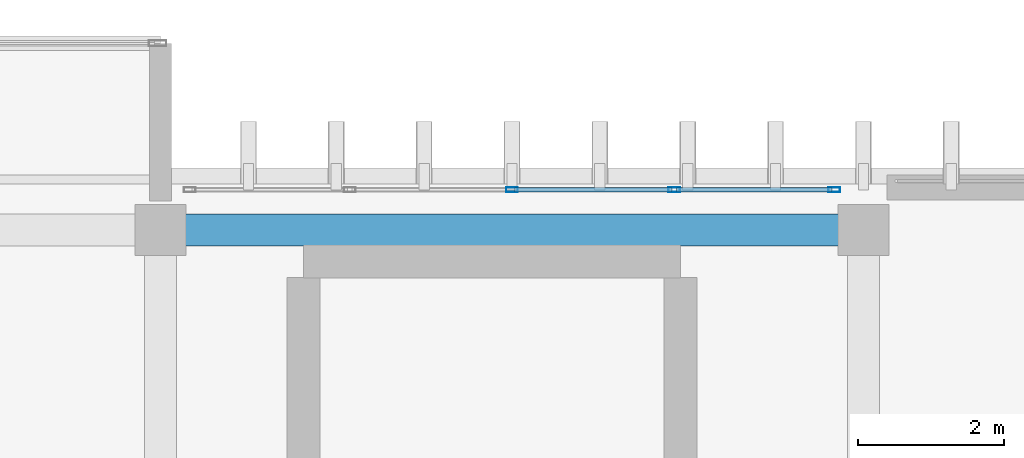
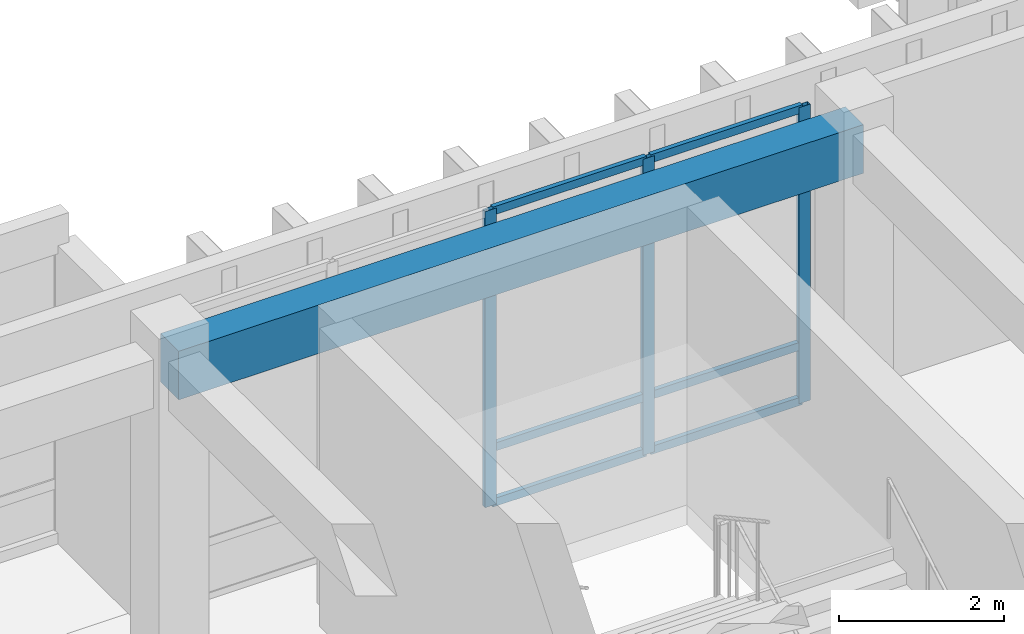
# One storey, part 74 of 133: 9 members, 1 beam, 1 element without a shape of its own.
"""IFC4 building model written with IfcOpenShell, lengths in metres."""

from ifc_helpers import new_model, si_unit, direction, frame, origin, origin_2d, place, context, subcontext, project, spatial, rectangle, hollow_rectangle, extrude, material, layer, layer_set, material_profile, profile_set, type_object, element, aggregate, save


model = new_model("IFC4")

# Units and contexts
model_context = context("Model", 3, precision=1e-05, world=origin(), true_north=direction((0.0, 1.0)))
body_context = subcontext(model_context, "Body", "Model", "MODEL_VIEW")
ifc_project = project(units=[si_unit("LENGTHUNIT", "METRE"), si_unit("AREAUNIT", "SQUARE_METRE"), si_unit("VOLUMEUNIT", "CUBIC_METRE"), si_unit("PLANEANGLEUNIT", "RADIAN"), si_unit("MASSUNIT", "GRAM", prefix="KILO")], contexts=[model_context])

# Site, building, storey
site_placement = place(None, origin())
site = spatial("IfcSite", under=ifc_project, at=site_placement, CompositionType="ELEMENT")
building_placement = place(site_placement, origin())
building = spatial("IfcBuilding", under=site, at=building_placement, Name="Nakhvara Creek Congress Hotel", CompositionType="ELEMENT")
storey_placement = place(building_placement, frame((0.0, 0.0, 11.39990234375)))
storey = spatial("IfcBuildingStorey", under=building, at=storey_placement, Name="L02", CompositionType="ELEMENT", Elevation=11.39990234375)

# Beam
ifc_material_1 = material(Name="Concrete C40/50", Category="concrete")
ifc_material_profile_1 = material_profile(ifc_material_1, rectangle(XDim=0.43994140625, YDim=0.719970703125, at=origin_2d()), Name="RC-BM 440x720", Category="LoadBearing")
ifc_profile_set_1 = profile_set([ifc_material_profile_1], Name="Concrete C40/50")
beam_type = type_object("IfcBeamType", Name="BM-RC-440X720", PredefinedType="BEAM", material=ifc_profile_set_1)
beam_placement = place(storey_placement, frame((134.39990234375, 95.25, 4.06005859375), z_axis=(1.0, 0.0, 0.0), x_axis=(0.0, 1.0, 0.0)))
element("IfcBeam", 1, at=beam_placement, inside=storey, type_object=beam_type, Name="Beam B12-L02-1555", PredefinedType="BEAM", context=body_context, shape_type="SweptSolid", body=[
    extrude(rectangle(XDim=0.43994140625, YDim=0.719970703125, at=origin_2d()), origin(), (0.0, 0.0, 1.0), 9.60009765625),
])

# Curtain wall, members
ifc_material_2 = material(Name="Bronze-anodised aluminium AW-6063-T6 and double-silver low-E glass", Category="aluminium")
ifc_layer = layer(ifc_material_2, 0.199951171875)
ifc_layer_set = layer_set([ifc_layer], Name="Bronze-anodised aluminium AW-6063-T6 and double-silver low-E glass")
curtain_wall_type = type_object("IfcCurtainWallType", Name="CW-POD-STICK", PredefinedType="NOTDEFINED", material=ifc_layer_set)
curtain_wall_placement = place(storey_placement, origin())
curtain_wall = element("IfcCurtainWall", 2, at=curtain_wall_placement, inside=storey, type_object=curtain_wall_type, Name="Curtain Wall CW088", PredefinedType="NOTDEFINED")
ifc_material_3 = material(Name="Bronze-anodised aluminium AW-6063-T6", Category="aluminium")
ifc_material_profile_2 = material_profile(ifc_material_3, hollow_rectangle(XDim=0.06494140625, YDim=0.159912109375, WallThickness=0.00390625, at=origin_2d()), Name="ALU-MULL 65x160x4", Category="LoadBearing")
ifc_profile_set_2 = profile_set([ifc_material_profile_2], Name="Bronze-anodised aluminium AW-6063-T6")
member_type_1 = type_object("IfcMemberType", Name="CW-MULL-160", PredefinedType="MULLION", material=ifc_profile_set_2)
member_1_placement = place(storey_placement, frame((139.199951171875, 95.800048828125, 0.0), z_axis=(0.0, 0.0, 1.0), x_axis=(0.0, 1.0, 0.0)))
member_1 = element("IfcMember", 3, at=member_1_placement, type_object=member_type_1, Name="CW088 mullion 3", PredefinedType="MULLION", context=body_context, shape_type="SweptSolid", body=[
    extrude(hollow_rectangle(XDim=0.06494140625, YDim=0.159912109375, WallThickness=0.00390625, at=origin_2d()), origin(), (0.0, 0.0, 1.0), 4.39013671875),
])
member_2_placement = place(storey_placement, frame((141.41748046875, 95.800048828125, 0.0), z_axis=(0.0, 0.0, 1.0), x_axis=(0.0, 1.0, 0.0)))
member_2 = element("IfcMember", 4, at=member_2_placement, type_object=member_type_1, Name="CW088 mullion 4", PredefinedType="MULLION", context=body_context, shape_type="SweptSolid", body=[
    extrude(hollow_rectangle(XDim=0.06494140625, YDim=0.159912109375, WallThickness=0.00390625, at=origin_2d()), origin(), (0.0, 0.0, 1.0), 4.39013671875),
])
member_3_placement = place(storey_placement, frame((143.6025390625, 95.800048828125, 0.0), z_axis=(0.0, 0.0, 1.0), x_axis=(0.0, 1.0, 0.0)))
member_3 = element("IfcMember", 5, at=member_3_placement, type_object=member_type_1, Name="CW088 mullion 5", PredefinedType="MULLION", context=body_context, shape_type="SweptSolid", body=[
    extrude(hollow_rectangle(XDim=0.06494140625, YDim=0.159912109375, WallThickness=0.00390625, at=origin_2d()), origin(), (0.0, 0.0, 1.0), 4.39013671875),
])
ifc_material_profile_3 = material_profile(ifc_material_3, hollow_rectangle(XDim=0.06494140625, YDim=0.1201171875, WallThickness=0.00390625, at=origin_2d()), Name="ALU-TRAN 65x120x4", Category="LoadBearing")
ifc_profile_set_3 = profile_set([ifc_material_profile_3], Name="Bronze-anodised aluminium AW-6063-T6")
member_type_2 = type_object("IfcMemberType", Name="CW-TRAN-120", PredefinedType="USERDEFINED", material=ifc_profile_set_3)
member_4_placement = place(storey_placement, frame((139.232421875, 95.800048828125, 0.03271484375), z_axis=(1.0, 0.0, 0.0), x_axis=(0.0, 1.0, 0.0)))
member_4 = element("IfcMember", 6, at=member_4_placement, type_object=member_type_2, Name="CW088 transom 3.1", ObjectType="TRANSOM", PredefinedType="USERDEFINED", context=body_context, shape_type="SweptSolid", body=[
    extrude(hollow_rectangle(XDim=0.06494140625, YDim=0.1201171875, WallThickness=0.00390625, at=origin_2d()), origin(), (0.0, 0.0, 1.0), 2.152587890625),
])
member_5_placement = place(storey_placement, frame((139.232421875, 95.800048828125, 0.85009765625), z_axis=(1.0, 0.0, 0.0), x_axis=(0.0, 1.0, 0.0)))
member_5 = element("IfcMember", 7, at=member_5_placement, type_object=member_type_2, Name="CW088 transom 3.2", ObjectType="TRANSOM", PredefinedType="USERDEFINED", context=body_context, shape_type="SweptSolid", body=[
    extrude(hollow_rectangle(XDim=0.06494140625, YDim=0.1201171875, WallThickness=0.00390625, at=origin_2d()), origin(), (0.0, 0.0, 1.0), 2.152587890625),
])
member_6_placement = place(storey_placement, frame((139.232421875, 95.800048828125, 4.357666015625), z_axis=(1.0, 0.0, 0.0), x_axis=(0.0, 1.0, 0.0)))
member_6 = element("IfcMember", 8, at=member_6_placement, type_object=member_type_2, Name="CW088 transom 3.3", ObjectType="TRANSOM", PredefinedType="USERDEFINED", context=body_context, shape_type="SweptSolid", body=[
    extrude(hollow_rectangle(XDim=0.06494140625, YDim=0.1201171875, WallThickness=0.00390625, at=origin_2d()), origin(), (0.0, 0.0, 1.0), 2.152587890625),
])
member_7_placement = place(storey_placement, frame((141.449951171875, 95.800048828125, 0.03271484375), z_axis=(1.0, 0.0, 0.0), x_axis=(0.0, 1.0, 0.0)))
member_7 = element("IfcMember", 9, at=member_7_placement, type_object=member_type_2, Name="CW088 transom 4.1", ObjectType="TRANSOM", PredefinedType="USERDEFINED", context=body_context, shape_type="SweptSolid", body=[
    extrude(hollow_rectangle(XDim=0.06494140625, YDim=0.1201171875, WallThickness=0.00390625, at=origin_2d()), origin(), (0.0, 0.0, 1.0), 2.1201171875),
])
member_8_placement = place(storey_placement, frame((141.449951171875, 95.800048828125, 0.85009765625), z_axis=(1.0, 0.0, 0.0), x_axis=(0.0, 1.0, 0.0)))
member_8 = element("IfcMember", 10, at=member_8_placement, type_object=member_type_2, Name="CW088 transom 4.2", ObjectType="TRANSOM", PredefinedType="USERDEFINED", context=body_context, shape_type="SweptSolid", body=[
    extrude(hollow_rectangle(XDim=0.06494140625, YDim=0.1201171875, WallThickness=0.00390625, at=origin_2d()), origin(), (0.0, 0.0, 1.0), 2.1201171875),
])
member_9_placement = place(storey_placement, frame((141.449951171875, 95.800048828125, 4.357666015625), z_axis=(1.0, 0.0, 0.0), x_axis=(0.0, 1.0, 0.0)))
member_9 = element("IfcMember", 11, at=member_9_placement, type_object=member_type_2, Name="CW088 transom 4.3", ObjectType="TRANSOM", PredefinedType="USERDEFINED", context=body_context, shape_type="SweptSolid", body=[
    extrude(hollow_rectangle(XDim=0.06494140625, YDim=0.1201171875, WallThickness=0.00390625, at=origin_2d()), origin(), (0.0, 0.0, 1.0), 2.1201171875),
])
aggregate(curtain_wall, [member_1, member_2, member_3, member_4, member_5, member_6, member_7, member_8, member_9])

save(model, "model.ifc")
